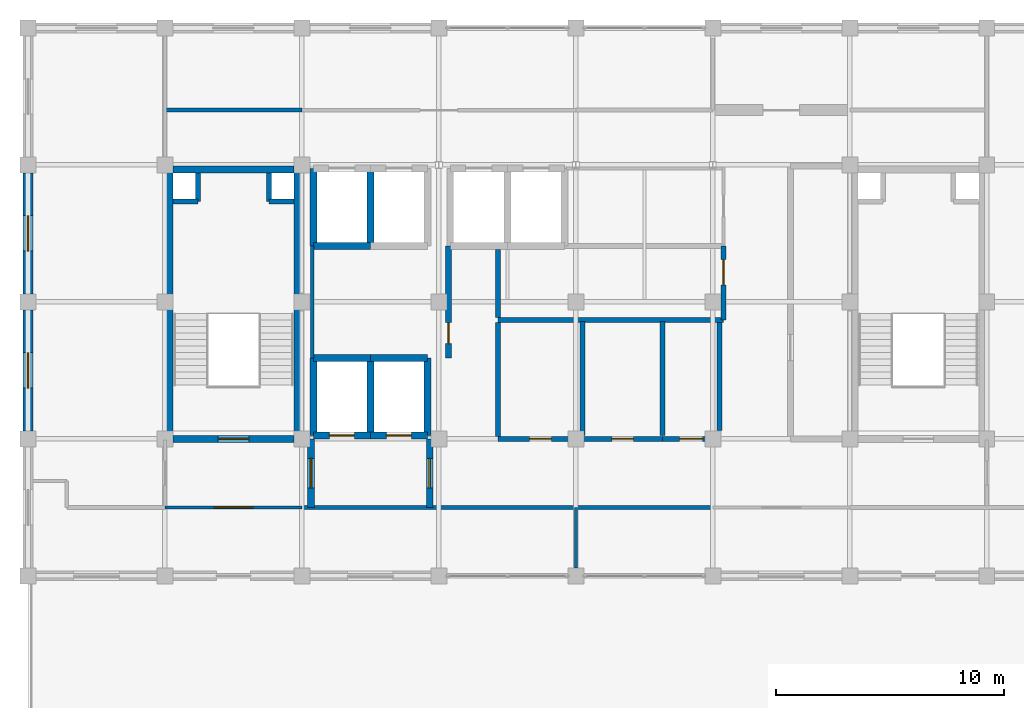
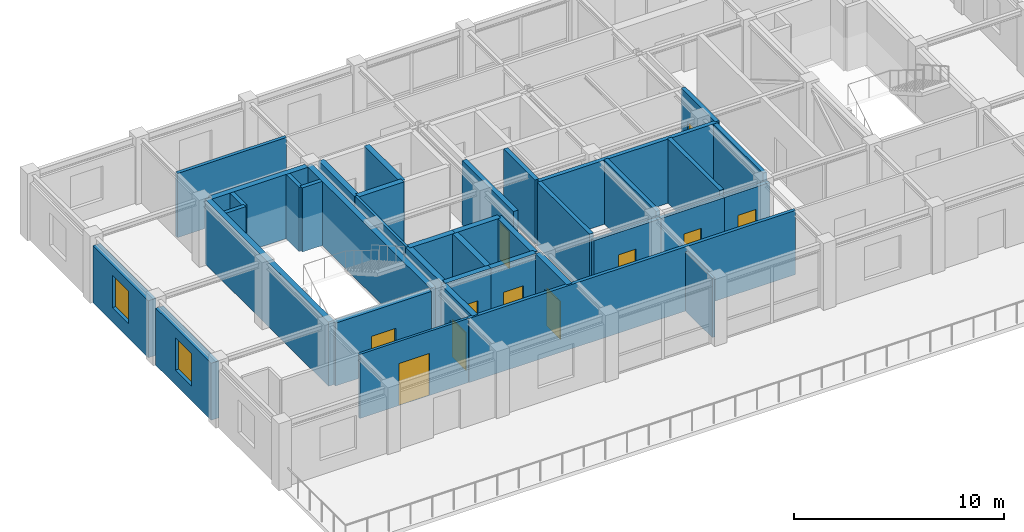
# One storey, part 8 of 11: 38 walls, 11 doors, 2 windows, 13 openings.
"""IFC4 building model written with IfcOpenShell, lengths in metres."""

from ifc_helpers import new_model, si_unit, direction, frame, frame_2d, origin, place, context, subcontext, project, spatial, rectangle, extrude, material, layer, layer_set, type_object, element, fill, save


model = new_model("IFC4")

# Units and contexts
model_context = context("Model", 3, precision=1e-05, world=origin(), true_north=direction((0.0, 1.0)))
body_context = subcontext(model_context, "Body", "Model", "MODEL_VIEW")
ifc_project = project(units=[si_unit("LENGTHUNIT", "METRE"), si_unit("AREAUNIT", "SQUARE_METRE"), si_unit("VOLUMEUNIT", "CUBIC_METRE"), si_unit("PLANEANGLEUNIT", "RADIAN"), si_unit("MASSUNIT", "GRAM", prefix="KILO")], contexts=[model_context])

# Site, building, storey
site_placement = place(None, origin())
site = spatial("IfcSite", under=ifc_project, at=site_placement, CompositionType="ELEMENT")
building_placement = place(site_placement, origin())
building = spatial("IfcBuilding", under=site, at=building_placement, Name="Zlatovratsky Civic Hall", CompositionType="ELEMENT")
storey_placement = place(building_placement, frame((0.0, 0.0, 52.199951171875)))
storey = spatial("IfcBuildingStorey", under=building, at=storey_placement, Name="L13", CompositionType="ELEMENT", Elevation=52.199951171875)

# Walls
ifc_material_1 = material(Name="Acoustic ceramic blockwork", Category="masonry")
ifc_layer_1 = layer(ifc_material_1, 0.179931640625)
ifc_layer_set_1 = layer_set([ifc_layer_1], Name="Acoustic ceramic blockwork")
wall_type_1 = type_object("IfcWallType", Name="Wall_AcousticChamberPartition_180", PredefinedType="PARTITIONING", material=ifc_layer_set_1)
wall_1_placement = place(storey_placement, frame((72.0, 81.0, 0.0), z_axis=(0.0, 0.0, 1.0), x_axis=(1.0, 0.0, 0.0)))
element("IfcWall", 1, at=wall_1_placement, inside=storey, type_object=wall_type_1, Name="WL-6635", PredefinedType="PARTITIONING", context=body_context, shape_type="SweptSolid", body=[
    extrude(rectangle(XDim=18.0, YDim=0.179931640625, at=frame_2d((9.0, 0.0))), origin(), (0.0, 0.0, 1.0), 3.739990234375),
])
wall_2_placement = place(storey_placement, frame((66.0, 98.39990234375, 0.0), z_axis=(0.0, 0.0, 1.0), x_axis=(1.0, 0.0, 0.0)))
element("IfcWall", 2, at=wall_2_placement, inside=storey, type_object=wall_type_1, Name="WL-6641", PredefinedType="PARTITIONING", context=body_context, shape_type="SweptSolid", body=[
    extrude(rectangle(XDim=6.0, YDim=0.179931640625, at=frame_2d((3.0, 0.0))), origin(), (0.0, 0.0, 1.0), 3.739990234375),
])

# Wall, opening, door
ifc_layer_2 = layer(ifc_material_1, 0.260009765625)
ifc_layer_set_2 = layer_set([ifc_layer_2], Name="Acoustic ceramic blockwork")
wall_type_2 = type_object("IfcWallType", Name="Wall_ArchiveCompartment_260", PredefinedType="PARTITIONING", material=ifc_layer_set_2)
wall_3_placement = place(storey_placement, frame((78.419921875, 87.550048828125, 0.0), z_axis=(0.0, 0.0, 1.0), x_axis=(0.0, 1.0, 0.0)))
wall_3 = element("IfcWall", 3, at=wall_3_placement, inside=storey, type_object=wall_type_2, Name="WL-6624", PredefinedType="PARTITIONING", context=body_context, shape_type="SweptSolid", body=[
    extrude(rectangle(XDim=4.89990234375, YDim=0.260009765625, at=frame_2d((2.449951171875, 0.0))), origin(), (0.0, 0.0, 1.0), 3.739990234375),
])
opening_1_placement = place(wall_3_placement, frame((0.617919921875, 0.0, 0.0)))
opening_1 = element("IfcOpeningElement", 4, at=opening_1_placement, cuts=wall_3, Name="Opening D-23", PredefinedType="OPENING", context=body_context, shape_type="SweptSolid", body=[
    extrude(rectangle(XDim=0.919921875, YDim=2.14990234375, at=frame_2d((0.4599609375, 1.074951171875))), frame((0.0, 0.14501953125, 0.0), z_axis=(0.0, -1.0, 0.0), x_axis=(1.0, 0.0, 0.0)), (0.0, 0.0, 1.0), 0.289794921875),
])
ifc_material_2 = material(Name="Solid oak joinery in steel frame", Category="steel")
door_type_1 = type_object("IfcDoorType", Name="Door_OfficeStandard_920x2150", OperationType="NOTDEFINED", PredefinedType="DOOR", material=ifc_material_2)
door_1_placement = place(opening_1_placement, origin())
door_1 = element("IfcDoor", 5, at=door_1_placement, inside=storey, type_object=door_type_1, Name="DR-5498", OperationType="SINGLE_SWING_LEFT", OverallHeight=2.14990234375, OverallWidth=0.919921875, PredefinedType="DOOR", context=body_context, shape_type="SweptSolid", body=[
    extrude(rectangle(XDim=0.919921875, YDim=2.14990234375, at=frame_2d((0.4599609375, 1.074951171875))), frame((0.0, 0.02490234375, 0.0), z_axis=(0.0, -1.0, 0.0), x_axis=(1.0, 0.0, 0.0)), (0.0, 0.0, 1.0), 0.050048828125),
])
fill(opening_1, door_1)

ifc_material_3 = material(Name="Fire-rated gypsum board framing", Category="gypsum")
ifc_layer_3 = layer(ifc_material_3, 0.139892578125)
ifc_layer_set_3 = layer_set([ifc_layer_3], Name="Fire-rated gypsum board framing")
wall_type_3 = type_object("IfcWallType", Name="Wall_OfficePartition_140", PredefinedType="PARTITIONING", material=ifc_layer_set_3)
wall_4_placement = place(storey_placement, frame((66.0, 81.0, 0.0), z_axis=(0.0, 0.0, 1.0), x_axis=(1.0, 0.0, 0.0)))
wall_4 = element("IfcWall", 6, at=wall_4_placement, inside=storey, type_object=wall_type_3, Name="WL-6618", PredefinedType="PARTITIONING", context=body_context, shape_type="SweptSolid", body=[
    extrude(rectangle(XDim=6.0, YDim=0.139892578125, at=frame_2d((3.0, 0.0))), origin(), (0.0, 0.0, 1.0), 3.739990234375),
])
opening_2_placement = place(wall_4_placement, frame((2.14990234375, 0.0, 0.0)))
opening_2 = element("IfcOpeningElement", 7, at=opening_2_placement, cuts=wall_4, Name="Opening D-26", PredefinedType="OPENING", context=body_context, shape_type="SweptSolid", body=[
    extrude(rectangle(XDim=1.699951171875, YDim=2.449951171875, at=frame_2d((0.85009765625, 1.22509765625))), frame((0.0, 0.0849609375, 0.0), z_axis=(0.0, -1.0, 0.0), x_axis=(1.0, 0.0, 0.0)), (0.0, 0.0, 1.0), 0.169677734375),
])
door_type_2 = type_object("IfcDoorType", Name="Door_CommissionBoardroom_1700x2450", OperationType="DOUBLE_DOOR_SINGLE_SWING", PredefinedType="DOOR", material=ifc_material_2)
door_2_placement = place(opening_2_placement, origin())
door_2 = element("IfcDoor", 8, at=door_2_placement, inside=storey, type_object=door_type_2, Name="DR-5492", OperationType="DOUBLE_DOOR_SINGLE_SWING", OverallHeight=2.449951171875, OverallWidth=1.699951171875, PredefinedType="DOOR", context=body_context, shape_type="SweptSolid", body=[
    extrude(rectangle(XDim=1.699951171875, YDim=2.449951171875, at=frame_2d((0.85009765625, 1.22509765625))), frame((0.0, 0.02490234375, 0.0), z_axis=(0.0, -1.0, 0.0), x_axis=(1.0, 0.0, 0.0)), (0.0, 0.0, 1.0), 0.050048828125),
])
fill(opening_2, door_2)

# Walls
wall_5_placement = place(storey_placement, frame((84.0, 78.35009765625, 0.0), z_axis=(0.0, 0.0, 1.0), x_axis=(0.0, 1.0, 0.0)))
element("IfcWall", 9, at=wall_5_placement, inside=storey, type_object=wall_type_3, Name="WL-6626", PredefinedType="PARTITIONING", context=body_context, shape_type="SweptSolid", body=[
    extrude(rectangle(XDim=2.64990234375, YDim=0.139892578125, at=frame_2d((1.324951171875, 0.0))), origin(), (0.0, 0.0, 1.0), 3.448974609375),
])
wall_6_placement = place(storey_placement, frame((72.449951171875, 87.550048828125, 0.0), z_axis=(0.0, 0.0, 1.0), x_axis=(0.0, 1.0, 0.0)))
element("IfcWall", 10, at=wall_6_placement, inside=storey, type_object=wall_type_3, Name="WL-6628", PredefinedType="PARTITIONING", context=body_context, shape_type="SweptSolid", body=[
    extrude(rectangle(XDim=4.89990234375, YDim=0.139892578125, at=frame_2d((2.449951171875, 0.0))), origin(), (0.0, 0.0, 1.0), 3.739990234375),
])
ifc_layer_4 = layer(ifc_material_1, 0.219970703125)
ifc_layer_set_4 = layer_set([ifc_layer_4], Name="Acoustic ceramic blockwork")
wall_type_4 = type_object("IfcWallType", Name="Wall_SanitaryWetCore_220", PredefinedType="PARTITIONING", material=ifc_layer_set_4)
wall_7_placement = place(storey_placement, frame((67.449951171875, 94.39990234375, 0.0), z_axis=(0.0, 0.0, 1.0), x_axis=(0.0, 1.0, 0.0)))
element("IfcWall", 11, at=wall_7_placement, inside=storey, type_object=wall_type_4, Name="WL-5109", PredefinedType="PARTITIONING", context=body_context, shape_type="SweptSolid", body=[
    extrude(rectangle(XDim=1.25, YDim=0.219970703125, at=frame_2d((0.625, 0.0))), origin(), (0.0, 0.0, 1.0), 3.739990234375),
])
wall_8_placement = place(storey_placement, frame((66.35009765625, 94.39990234375, 0.0), z_axis=(0.0, 0.0, 1.0), x_axis=(1.0, 0.0, 0.0)))
element("IfcWall", 12, at=wall_8_placement, inside=storey, type_object=wall_type_4, Name="WL-5110", PredefinedType="PARTITIONING", context=body_context, shape_type="SweptSolid", body=[
    extrude(rectangle(XDim=1.099853515625, YDim=0.219970703125, at=frame_2d((0.5498046875, 0.0))), origin(), (0.0, 0.0, 1.0), 3.739990234375),
])
wall_9_placement = place(storey_placement, frame((70.550048828125, 94.39990234375, 0.0), z_axis=(0.0, 0.0, 1.0), x_axis=(0.0, 1.0, 0.0)))
element("IfcWall", 13, at=wall_9_placement, inside=storey, type_object=wall_type_4, Name="WL-5111", PredefinedType="PARTITIONING", context=body_context, shape_type="SweptSolid", body=[
    extrude(rectangle(XDim=1.25, YDim=0.219970703125, at=frame_2d((0.625, 0.0))), origin(), (0.0, 0.0, 1.0), 3.739990234375),
])
wall_10_placement = place(storey_placement, frame((70.550048828125, 94.39990234375, 0.0), z_axis=(0.0, 0.0, 1.0), x_axis=(1.0, 0.0, 0.0)))
element("IfcWall", 14, at=wall_10_placement, inside=storey, type_object=wall_type_4, Name="WL-5112", PredefinedType="PARTITIONING", context=body_context, shape_type="SweptSolid", body=[
    extrude(rectangle(XDim=1.099853515625, YDim=0.219970703125, at=frame_2d((0.5498046875, 0.0))), origin(), (0.0, 0.0, 1.0), 3.739990234375),
])

# Wall, opening, door
wall_11_placement = place(storey_placement, frame((80.60009765625, 84.0, 0.0), z_axis=(0.0, 0.0, 1.0), x_axis=(1.0, 0.0, 0.0)))
wall_11 = element("IfcWall", 15, at=wall_11_placement, inside=storey, type_object=wall_type_4, Name="WL-6611", PredefinedType="PARTITIONING", context=body_context, shape_type="SweptSolid", body=[
    extrude(rectangle(XDim=3.699951171875, YDim=0.219970703125, at=frame_2d((1.85009765625, 0.0))), origin(), (0.0, 0.0, 1.0), 3.448974609375),
])
opening_3_placement = place(wall_11_placement, frame((1.375, 0.0, 0.0)))
opening_3 = element("IfcOpeningElement", 16, at=opening_3_placement, cuts=wall_11, Name="Opening D-21", PredefinedType="OPENING", context=body_context, shape_type="SweptSolid", body=[
    extrude(rectangle(XDim=0.949951171875, YDim=2.14990234375, at=frame_2d((0.47509765625, 1.074951171875))), frame((0.0, 0.125, 0.0), z_axis=(0.0, -1.0, 0.0), x_axis=(1.0, 0.0, 0.0)), (0.0, 0.0, 1.0), 0.249755859375),
])
door_type_3 = type_object("IfcDoorType", Name="Door_MensWC_950x2150", OperationType="NOTDEFINED", PredefinedType="DOOR", material=ifc_material_2)
door_3_placement = place(opening_3_placement, origin())
door_3 = element("IfcDoor", 17, at=door_3_placement, inside=storey, type_object=door_type_3, Name="DR-5488", OperationType="SINGLE_SWING_LEFT", OverallHeight=2.14990234375, OverallWidth=0.949951171875, PredefinedType="DOOR", context=body_context, shape_type="SweptSolid", body=[
    extrude(rectangle(XDim=0.949951171875, YDim=2.14990234375, at=frame_2d((0.47509765625, 1.074951171875))), frame((0.0, 0.02490234375, 0.0), z_axis=(0.0, -1.0, 0.0), x_axis=(1.0, 0.0, 0.0)), (0.0, 0.0, 1.0), 0.050048828125),
])
fill(opening_3, door_3)

wall_12_placement = place(storey_placement, frame((84.300048828125, 84.0, 0.0), z_axis=(0.0, 0.0, 1.0), x_axis=(1.0, 0.0, 0.0)))
wall_12 = element("IfcWall", 18, at=wall_12_placement, inside=storey, type_object=wall_type_4, Name="WL-6612", PredefinedType="PARTITIONING", context=body_context, shape_type="SweptSolid", body=[
    extrude(rectangle(XDim=3.5, YDim=0.219970703125, at=frame_2d((1.75, 0.0))), origin(), (0.0, 0.0, 1.0), 3.448974609375),
])
opening_4_placement = place(wall_12_placement, frame((1.27490234375, 0.0, 0.0)))
opening_4 = element("IfcOpeningElement", 19, at=opening_4_placement, cuts=wall_12, Name="Opening D-22", PredefinedType="OPENING", context=body_context, shape_type="SweptSolid", body=[
    extrude(rectangle(XDim=0.949951171875, YDim=2.10009765625, at=frame_2d((0.47509765625, 1.050048828125))), frame((0.0, 0.125, 0.0), z_axis=(0.0, -1.0, 0.0), x_axis=(1.0, 0.0, 0.0)), (0.0, 0.0, 1.0), 0.249755859375),
])
door_type_4 = type_object("IfcDoorType", Name="Door_WomensWC_950x2100", OperationType="NOTDEFINED", PredefinedType="DOOR", material=ifc_material_2)
door_4_placement = place(opening_4_placement, origin())
door_4 = element("IfcDoor", 20, at=door_4_placement, inside=storey, type_object=door_type_4, Name="DR-5489", OperationType="SINGLE_SWING_RIGHT", OverallHeight=2.10009765625, OverallWidth=0.949951171875, PredefinedType="DOOR", context=body_context, shape_type="SweptSolid", body=[
    extrude(rectangle(XDim=0.949951171875, YDim=2.10009765625, at=frame_2d((0.47509765625, 1.050048828125))), frame((0.0, 0.02490234375, 0.0), z_axis=(0.0, -1.0, 0.0), x_axis=(1.0, 0.0, 0.0)), (0.0, 0.0, 1.0), 0.050048828125),
])
fill(opening_4, door_4)

wall_13_placement = place(storey_placement, frame((87.800048828125, 84.0, 0.0), z_axis=(0.0, 0.0, 1.0), x_axis=(1.0, 0.0, 0.0)))
wall_13 = element("IfcWall", 21, at=wall_13_placement, inside=storey, type_object=wall_type_4, Name="WL-6613", PredefinedType="PARTITIONING", context=body_context, shape_type="SweptSolid", body=[
    extrude(rectangle(XDim=2.5, YDim=0.219970703125, at=frame_2d((1.25, 0.0))), origin(), (0.0, 0.0, 1.0), 3.448974609375),
])
opening_5_placement = place(wall_13_placement, frame((0.75, 0.0, 0.0)))
opening_5 = element("IfcOpeningElement", 22, at=opening_5_placement, cuts=wall_13, Name="Opening D-20", PredefinedType="OPENING", context=body_context, shape_type="SweptSolid", body=[
    extrude(rectangle(XDim=1.0, YDim=2.14990234375, at=frame_2d((0.5, 1.074951171875))), frame((0.0, 0.125, 0.0), z_axis=(0.0, -1.0, 0.0), x_axis=(1.0, 0.0, 0.0)), (0.0, 0.0, 1.0), 0.249755859375),
])
door_type_5 = type_object("IfcDoorType", Name="Door_AccessibleWC_1000x2150", OperationType="NOTDEFINED", PredefinedType="DOOR", material=ifc_material_2)
door_5_placement = place(opening_5_placement, origin())
door_5 = element("IfcDoor", 23, at=door_5_placement, inside=storey, type_object=door_type_5, Name="DR-5490", OperationType="SINGLE_SWING_LEFT", OverallHeight=2.14990234375, OverallWidth=1.0, PredefinedType="DOOR", context=body_context, shape_type="SweptSolid", body=[
    extrude(rectangle(XDim=1.0, YDim=2.14990234375, at=frame_2d((0.5, 1.074951171875))), frame((0.0, 0.02490234375, 0.0), z_axis=(0.0, -1.0, 0.0), x_axis=(1.0, 0.0, 0.0)), (0.0, 0.0, 1.0), 0.050048828125),
])
fill(opening_5, door_5)

# Walls
for number, where, z_axis, x_axis, name in (
    (24, (84.300048828125, 84.14990234375, 0.0), (0.0, 0.0, 1.0), (0.0, 1.0, 0.0), "WL-6614"),
    (25, (87.800048828125, 84.14990234375, 0.0), (0.0, 0.0, 1.0), (0.0, 1.0, 0.0), "WL-6615"),
):
    element("IfcWall", number, at=place(storey_placement, frame(where, z_axis=z_axis, x_axis=x_axis)), inside=storey, type_object=wall_type_4, Name=name, PredefinedType="PARTITIONING", context=body_context, shape_type="SweptSolid", body=[
        extrude(rectangle(XDim=5.0, YDim=0.219970703125, at=frame_2d((2.5, 0.0))), origin(), (0.0, 0.0, 1.0), 3.739990234375),
    ])
wall_14_placement = place(storey_placement, frame((80.60009765625, 89.199951171875, 0.0), z_axis=(0.0, 0.0, 1.0), x_axis=(1.0, 0.0, 0.0)))
element("IfcWall", 26, at=wall_14_placement, inside=storey, type_object=wall_type_4, Name="WL-6616", PredefinedType="PARTITIONING", context=body_context, shape_type="SweptSolid", body=[
    extrude(rectangle(XDim=9.869873046875, YDim=0.219970703125, at=frame_2d((4.93505859375, 0.0))), origin(), (0.0, 0.0, 1.0), 3.739990234375),
])

# Wall, opening, door
wall_15_placement = place(storey_placement, frame((90.469970703125, 89.199951171875, 0.0), z_axis=(0.0, 0.0, 1.0), x_axis=(0.0, 1.0, 0.0)))
wall_15 = element("IfcWall", 27, at=wall_15_placement, inside=storey, type_object=wall_type_4, Name="WL-6617", PredefinedType="PARTITIONING", context=body_context, shape_type="SweptSolid", body=[
    extrude(rectangle(XDim=3.25, YDim=0.219970703125, at=frame_2d((1.625, 0.0))), origin(), (0.0, 0.0, 1.0), 3.739990234375),
])
opening_6_placement = place(wall_15_placement, frame((1.550048828125, 0.0, 0.0)))
opening_6 = element("IfcOpeningElement", 28, at=opening_6_placement, cuts=wall_15, Name="Opening D-30", PredefinedType="OPENING", context=body_context, shape_type="SweptSolid", body=[
    extrude(rectangle(XDim=1.10009765625, YDim=2.14990234375, at=frame_2d((0.550048828125, 1.074951171875))), frame((0.0, 0.125, 0.0), z_axis=(0.0, -1.0, 0.0), x_axis=(1.0, 0.0, 0.0)), (0.0, 0.0, 1.0), 0.249755859375),
])
ifc_material_4 = material(Name="Insulated painted fire-rated steel leaf", Category="steel")
door_type_6 = type_object("IfcDoorType", Name="Door_ElectricalRoom_1100x2150", OperationType="NOTDEFINED", PredefinedType="DOOR", material=ifc_material_4)
door_6_placement = place(opening_6_placement, origin())
door_6 = element("IfcDoor", 29, at=door_6_placement, inside=storey, type_object=door_type_6, Name="DR-5491", OperationType="SINGLE_SWING_RIGHT", OverallHeight=2.14990234375, OverallWidth=1.10009765625, PredefinedType="DOOR", context=body_context, shape_type="SweptSolid", body=[
    extrude(rectangle(XDim=1.10009765625, YDim=2.14990234375, at=frame_2d((0.550048828125, 1.074951171875))), frame((0.0, 0.02490234375, 0.0), z_axis=(0.0, -1.0, 0.0), x_axis=(1.0, 0.0, 0.0)), (0.0, 0.0, 1.0), 0.050048828125),
])
fill(opening_6, door_6)

# Walls
wall_16_placement = place(storey_placement, frame((80.60009765625, 84.110107421875, 0.0), z_axis=(0.0, 0.0, 1.0), x_axis=(0.0, 1.0, 0.0)))
element("IfcWall", 30, at=wall_16_placement, inside=storey, type_object=wall_type_4, Name="WL-6630", PredefinedType="PARTITIONING", context=body_context, shape_type="SweptSolid", body=[
    extrude(rectangle(XDim=4.97998046875, YDim=0.219970703125, at=frame_2d((2.489990234375, 0.0))), origin(), (0.0, 0.0, 1.0), 3.739990234375),
])
wall_17_placement = place(storey_placement, frame((90.300048828125, 84.360107421875, 0.0), z_axis=(0.0, 0.0, 1.0), x_axis=(0.0, 1.0, 0.0)))
element("IfcWall", 31, at=wall_17_placement, inside=storey, type_object=wall_type_4, Name="WL-6631", PredefinedType="PARTITIONING", context=body_context, shape_type="SweptSolid", body=[
    extrude(rectangle(XDim=4.72998046875, YDim=0.219970703125, at=frame_2d((2.364990234375, 0.0))), origin(), (0.0, 0.0, 1.0), 3.739990234375),
])
wall_18_placement = place(storey_placement, frame((80.60009765625, 89.31005859375, 0.0), z_axis=(0.0, 0.0, 1.0), x_axis=(0.0, 1.0, 0.0)))
element("IfcWall", 32, at=wall_18_placement, inside=storey, type_object=wall_type_4, Name="WL-6632", PredefinedType="PARTITIONING", context=body_context, shape_type="SweptSolid", body=[
    extrude(rectangle(XDim=2.989990234375, YDim=0.219970703125, at=frame_2d((1.4951171875, 0.0))), origin(), (0.0, 0.0, 1.0), 3.739990234375),
])

# Wall, opening, door
ifc_material_5 = material(Name="Concrete C35/45 (B40)", Category="concrete")
ifc_layer_5 = layer(ifc_material_5, 0.300048828125)
ifc_layer_set_5 = layer_set([ifc_layer_5], Name="Concrete C35/45 (B40)")
wall_type_5 = type_object("IfcWallType", Name="Wall_StairAndLiftShaft_300", PredefinedType="SHEAR", material=ifc_layer_set_5)
wall_19_placement = place(storey_placement, frame((66.35009765625, 84.0, 0.0), z_axis=(0.0, 0.0, 1.0), x_axis=(1.0, 0.0, 0.0)))
wall_19 = element("IfcWall", 33, at=wall_19_placement, inside=storey, type_object=wall_type_5, Name="WL-5105", PredefinedType="SHEAR", context=body_context, shape_type="SweptSolid", body=[
    extrude(rectangle(XDim=5.2998046875, YDim=0.300048828125, at=frame_2d((2.64990234375, 0.0))), origin(), (0.0, 0.0, 1.0), 3.66015625),
])
opening_7_placement = place(wall_19_placement, frame((1.97509765625, 0.0, 0.0)))
opening_7 = element("IfcOpeningElement", 34, at=opening_7_placement, cuts=wall_19, Name="Opening D-17", PredefinedType="OPENING", context=body_context, shape_type="SweptSolid", body=[
    extrude(rectangle(XDim=1.35009765625, YDim=2.199951171875, at=frame_2d((0.675048828125, 1.10009765625))), frame((0.0, 0.1650390625, 0.0), z_axis=(0.0, -1.0, 0.0), x_axis=(1.0, 0.0, 0.0)), (0.0, 0.0, 1.0), 0.329833984375),
])
door_type_7 = type_object("IfcDoorType", Name="Door_StairwellFireTower_1350x2200", OperationType="NOTDEFINED", PredefinedType="DOOR", material=ifc_material_4)
door_7_placement = place(opening_7_placement, origin())
door_7 = element("IfcDoor", 35, at=door_7_placement, inside=storey, type_object=door_type_7, Name="DR-5014", OperationType="SINGLE_SWING_LEFT", OverallHeight=2.199951171875, OverallWidth=1.35009765625, PredefinedType="DOOR", context=body_context, shape_type="SweptSolid", body=[
    extrude(rectangle(XDim=1.35009765625, YDim=2.199951171875, at=frame_2d((0.675048828125, 1.10009765625))), frame((0.0, 0.02490234375, 0.0), z_axis=(0.0, -1.0, 0.0), x_axis=(1.0, 0.0, 0.0)), (0.0, 0.0, 1.0), 0.050048828125),
])
fill(opening_7, door_7)

# Walls
wall_20_placement = place(storey_placement, frame((66.35009765625, 95.800048828125, 0.0), z_axis=(0.0, 0.0, 1.0), x_axis=(1.0, 0.0, 0.0)))
element("IfcWall", 36, at=wall_20_placement, inside=storey, type_object=wall_type_5, Name="WL-5106", PredefinedType="SHEAR", context=body_context, shape_type="SweptSolid", body=[
    extrude(rectangle(XDim=5.2998046875, YDim=0.300048828125, at=frame_2d((2.64990234375, 0.0))), origin(), (0.0, 0.0, 1.0), 3.739990234375),
])
for number, where, z_axis, x_axis, name in (
    (37, (66.199951171875, 84.0, 0.0), (0.0, 0.0, 1.0), (0.0, 1.0, 0.0), "WL-5107"),
    (38, (71.800048828125, 84.0, 0.0), (0.0, 0.0, 1.0), (0.0, 1.0, 0.0), "WL-5108"),
):
    element("IfcWall", number, at=place(storey_placement, frame(where, z_axis=z_axis, x_axis=x_axis)), inside=storey, type_object=wall_type_5, Name=name, PredefinedType="SHEAR", context=body_context, shape_type="SweptSolid", body=[
        extrude(rectangle(XDim=11.800048828125, YDim=0.300048828125, at=frame_2d((5.89990234375, 0.0))), origin(), (0.0, 0.0, 1.0), 3.739990234375),
    ])

# Wall, opening, door
wall_21_placement = place(storey_placement, frame((72.5, 84.14990234375, 0.0), z_axis=(0.0, 0.0, 1.0), x_axis=(1.0, 0.0, 0.0)))
wall_21 = element("IfcWall", 39, at=wall_21_placement, inside=storey, type_object=wall_type_5, Name="WL-5532", PredefinedType="SHEAR", context=body_context, shape_type="SweptSolid", body=[
    extrude(rectangle(XDim=2.5, YDim=0.300048828125, at=frame_2d((1.25, 0.0))), origin(), (0.0, 0.0, 1.0), 3.739990234375),
])
opening_8_placement = place(wall_21_placement, frame((0.699951171875, 0.0, 0.0)))
opening_8 = element("IfcOpeningElement", 40, at=opening_8_placement, cuts=wall_21, Name="Opening LD-01", PredefinedType="OPENING", context=body_context, shape_type="SweptSolid", body=[
    extrude(rectangle(XDim=1.10009765625, YDim=2.10009765625, at=frame_2d((0.550048828125, 1.050048828125))), frame((0.0, 0.1650390625, 0.0), z_axis=(0.0, -1.0, 0.0), x_axis=(1.0, 0.0, 0.0)), (0.0, 0.0, 1.0), 0.329833984375),
])
ifc_material_6 = material(Name="Brushed stainless steel AISI 304", Category="steel")
door_type_8 = type_object("IfcDoorType", Name="Door_LiftLandingFire_1100x2100", OperationType="DOUBLE_DOOR_SLIDING", PredefinedType="DOOR", material=ifc_material_6)
door_8_placement = place(opening_8_placement, origin())
door_8 = element("IfcDoor", 41, at=door_8_placement, inside=storey, type_object=door_type_8, Name="Lift landing door LD-5072", OperationType="DOUBLE_DOOR_SLIDING", OverallHeight=2.10009765625, OverallWidth=1.10009765625, PredefinedType="DOOR", context=body_context, shape_type="SweptSolid", body=[
    extrude(rectangle(XDim=1.10009765625, YDim=2.10009765625, at=frame_2d((0.550048828125, 1.050048828125))), frame((0.0, 0.02490234375, 0.0), z_axis=(0.0, -1.0, 0.0), x_axis=(1.0, 0.0, 0.0)), (0.0, 0.0, 1.0), 0.050048828125),
])
fill(opening_8, door_8)

# Walls
wall_22_placement = place(storey_placement, frame((72.5, 87.550048828125, 0.0), z_axis=(0.0, 0.0, 1.0), x_axis=(1.0, 0.0, 0.0)))
element("IfcWall", 42, at=wall_22_placement, inside=storey, type_object=wall_type_5, Name="WL-5533", PredefinedType="SHEAR", context=body_context, shape_type="SweptSolid", body=[
    extrude(rectangle(XDim=2.5, YDim=0.300048828125, at=frame_2d((1.25, 0.0))), origin(), (0.0, 0.0, 1.0), 3.739990234375),
])
wall_23_placement = place(storey_placement, frame((72.5, 84.14990234375, 0.0), z_axis=(0.0, 0.0, 1.0), x_axis=(0.0, 1.0, 0.0)))
element("IfcWall", 43, at=wall_23_placement, inside=storey, type_object=wall_type_5, Name="WL-5534", PredefinedType="SHEAR", context=body_context, shape_type="SweptSolid", body=[
    extrude(rectangle(XDim=3.400146484375, YDim=0.300048828125, at=frame_2d((1.7001953125, 0.0))), origin(), (0.0, 0.0, 1.0), 3.739990234375),
])

# Wall, opening, door
wall_24_placement = place(storey_placement, frame((75.0, 84.14990234375, 0.0), z_axis=(0.0, 0.0, 1.0), x_axis=(1.0, 0.0, 0.0)))
wall_24 = element("IfcWall", 44, at=wall_24_placement, inside=storey, type_object=wall_type_5, Name="WL-5602", PredefinedType="SHEAR", context=body_context, shape_type="SweptSolid", body=[
    extrude(rectangle(XDim=2.5, YDim=0.300048828125, at=frame_2d((1.25, 0.0))), origin(), (0.0, 0.0, 1.0), 3.739990234375),
])
opening_9_placement = place(wall_24_placement, frame((0.699951171875, 0.0, 0.0)))
opening_9 = element("IfcOpeningElement", 45, at=opening_9_placement, cuts=wall_24, Name="Opening LD-01", PredefinedType="OPENING", context=body_context, shape_type="SweptSolid", body=[
    extrude(rectangle(XDim=1.10009765625, YDim=2.10009765625, at=frame_2d((0.550048828125, 1.050048828125))), frame((0.0, 0.1650390625, 0.0), z_axis=(0.0, -1.0, 0.0), x_axis=(1.0, 0.0, 0.0)), (0.0, 0.0, 1.0), 0.329833984375),
])
door_9_placement = place(opening_9_placement, origin())
door_9 = element("IfcDoor", 46, at=door_9_placement, inside=storey, type_object=door_type_8, Name="Lift landing door LD-5091", OperationType="DOUBLE_DOOR_SLIDING", OverallHeight=2.10009765625, OverallWidth=1.10009765625, PredefinedType="DOOR", context=body_context, shape_type="SweptSolid", body=[
    extrude(rectangle(XDim=1.10009765625, YDim=2.10009765625, at=frame_2d((0.550048828125, 1.050048828125))), frame((0.0, 0.02490234375, 0.0), z_axis=(0.0, -1.0, 0.0), x_axis=(1.0, 0.0, 0.0)), (0.0, 0.0, 1.0), 0.050048828125),
])
fill(opening_9, door_9)

# Walls
wall_25_placement = place(storey_placement, frame((75.0, 87.550048828125, 0.0), z_axis=(0.0, 0.0, 1.0), x_axis=(1.0, 0.0, 0.0)))
element("IfcWall", 47, at=wall_25_placement, inside=storey, type_object=wall_type_5, Name="WL-5603", PredefinedType="SHEAR", context=body_context, shape_type="SweptSolid", body=[
    extrude(rectangle(XDim=2.5, YDim=0.300048828125, at=frame_2d((1.25, 0.0))), origin(), (0.0, 0.0, 1.0), 3.739990234375),
])
for number, where, z_axis, x_axis, name in (
    (48, (75.0, 84.14990234375, 0.0), (0.0, 0.0, 1.0), (0.0, 1.0, 0.0), "WL-5604"),
    (49, (77.5, 84.14990234375, 0.0), (0.0, 0.0, 1.0), (0.0, 1.0, 0.0), "WL-5605"),
):
    element("IfcWall", number, at=place(storey_placement, frame(where, z_axis=z_axis, x_axis=x_axis)), inside=storey, type_object=wall_type_5, Name=name, PredefinedType="SHEAR", context=body_context, shape_type="SweptSolid", body=[
        extrude(rectangle(XDim=3.400146484375, YDim=0.300048828125, at=frame_2d((1.7001953125, 0.0))), origin(), (0.0, 0.0, 1.0), 3.739990234375),
    ])
wall_26_placement = place(storey_placement, frame((72.5, 92.449951171875, 0.0), z_axis=(0.0, 0.0, 1.0), x_axis=(1.0, 0.0, 0.0)))
element("IfcWall", 50, at=wall_26_placement, inside=storey, type_object=wall_type_5, Name="WL-5666", PredefinedType="SHEAR", context=body_context, shape_type="SweptSolid", body=[
    extrude(rectangle(XDim=2.5, YDim=0.300048828125, at=frame_2d((1.25, 0.0))), origin(), (0.0, 0.0, 1.0), 3.739990234375),
])
for number, where, z_axis, x_axis, name in (
    (51, (72.5, 92.449951171875, 0.0), (0.0, 0.0, 1.0), (0.0, 1.0, 0.0), "WL-5667"),
    (52, (75.0, 92.449951171875, 0.0), (0.0, 0.0, 1.0), (0.0, 1.0, 0.0), "WL-5737"),
):
    element("IfcWall", number, at=place(storey_placement, frame(where, z_axis=z_axis, x_axis=x_axis)), inside=storey, type_object=wall_type_5, Name=name, PredefinedType="SHEAR", context=body_context, shape_type="SweptSolid", body=[
        extrude(rectangle(XDim=3.400146484375, YDim=0.300048828125, at=frame_2d((1.7001953125, 0.0))), origin(), (0.0, 0.0, 1.0), 3.739990234375),
    ])

# Wall, opening, door
wall_27_placement = place(storey_placement, frame((72.39990234375, 81.0, 0.0), z_axis=(0.0, 0.0, 1.0), x_axis=(0.0, 1.0, 0.0)))
wall_27 = element("IfcWall", 53, at=wall_27_placement, inside=storey, type_object=wall_type_5, Name="WL-6609", PredefinedType="SHEAR", context=body_context, shape_type="SweptSolid", body=[
    extrude(rectangle(XDim=3.0, YDim=0.300048828125, at=frame_2d((1.5, 0.0))), origin(), (0.0, 0.0, 1.0), 3.739990234375),
])
opening_10_placement = place(wall_27_placement, frame((0.85009765625, 0.0, 0.0)))
opening_10 = element("IfcOpeningElement", 54, at=opening_10_placement, cuts=wall_27, Name="Opening D-18", PredefinedType="OPENING", context=body_context, shape_type="SweptSolid", body=[
    extrude(rectangle(XDim=1.300048828125, YDim=2.199951171875, at=frame_2d((0.64990234375, 1.10009765625))), frame((0.0, 0.1650390625, 0.0), z_axis=(0.0, -1.0, 0.0), x_axis=(1.0, 0.0, 0.0)), (0.0, 0.0, 1.0), 0.329833984375),
])
door_type_9 = type_object("IfcDoorType", Name="Door_FireLobbyAirlock_1300x2200", OperationType="NOTDEFINED", PredefinedType="DOOR", material=ifc_material_4)
door_10_placement = place(opening_10_placement, origin())
door_10 = element("IfcDoor", 55, at=door_10_placement, inside=storey, type_object=door_type_9, Name="DR-5486", OperationType="SINGLE_SWING_RIGHT", OverallHeight=2.199951171875, OverallWidth=1.300048828125, PredefinedType="DOOR", context=body_context, shape_type="SweptSolid", body=[
    extrude(rectangle(XDim=1.300048828125, YDim=2.199951171875, at=frame_2d((0.64990234375, 1.10009765625))), frame((0.0, 0.02490234375, 0.0), z_axis=(0.0, -1.0, 0.0), x_axis=(1.0, 0.0, 0.0)), (0.0, 0.0, 1.0), 0.050048828125),
])
fill(opening_10, door_10)

wall_28_placement = place(storey_placement, frame((77.60009765625, 81.0, 0.0), z_axis=(0.0, 0.0, 1.0), x_axis=(0.0, 1.0, 0.0)))
wall_28 = element("IfcWall", 56, at=wall_28_placement, inside=storey, type_object=wall_type_5, Name="WL-6610", PredefinedType="SHEAR", context=body_context, shape_type="SweptSolid", body=[
    extrude(rectangle(XDim=3.0, YDim=0.300048828125, at=frame_2d((1.5, 0.0))), origin(), (0.0, 0.0, 1.0), 3.739990234375),
])
opening_11_placement = place(wall_28_placement, frame((0.85009765625, 0.0, 0.0)))
opening_11 = element("IfcOpeningElement", 57, at=opening_11_placement, cuts=wall_28, Name="Opening D-18", PredefinedType="OPENING", context=body_context, shape_type="SweptSolid", body=[
    extrude(rectangle(XDim=1.300048828125, YDim=2.199951171875, at=frame_2d((0.64990234375, 1.10009765625))), frame((0.0, 0.1650390625, 0.0), z_axis=(0.0, -1.0, 0.0), x_axis=(1.0, 0.0, 0.0)), (0.0, 0.0, 1.0), 0.329833984375),
])
door_11_placement = place(opening_11_placement, origin())
door_11 = element("IfcDoor", 58, at=door_11_placement, inside=storey, type_object=door_type_9, Name="DR-5487", OperationType="SINGLE_SWING_RIGHT", OverallHeight=2.199951171875, OverallWidth=1.300048828125, PredefinedType="DOOR", context=body_context, shape_type="SweptSolid", body=[
    extrude(rectangle(XDim=1.300048828125, YDim=2.199951171875, at=frame_2d((0.64990234375, 1.10009765625))), frame((0.0, 0.02490234375, 0.0), z_axis=(0.0, -1.0, 0.0), x_axis=(1.0, 0.0, 0.0)), (0.0, 0.0, 1.0), 0.050048828125),
])
fill(opening_11, door_11)

# Wall, opening, window
ifc_layer_6 = layer(ifc_material_1, 0.280029296875, Name="Backing")
ifc_material_7 = material(Name="Podolsk limestone ashlar", Category="masonry")
ifc_layer_7 = layer(ifc_material_7, 0.139892578125, Name="Finish")
ifc_layer_set_6 = layer_set([ifc_layer_6, ifc_layer_7], Name="Acoustic ceramic blockwork")
wall_type_6 = type_object("IfcWallType", Name="Wall_TowerLimestoneAshlar_420", PredefinedType="SOLIDWALL", material=ifc_layer_set_6)
wall_29_placement = place(storey_placement, frame((60.0, 84.35009765625, 0.0), z_axis=(0.0, 0.0, 1.0), x_axis=(0.0, 1.0, 0.0)))
wall_29 = element("IfcWall", 59, at=wall_29_placement, inside=storey, type_object=wall_type_6, Name="WL-0602", PredefinedType="SOLIDWALL", context=body_context, shape_type="SweptSolid", body=[
    extrude(rectangle(XDim=5.2998046875, YDim=0.419921875, at=frame_2d((2.64990234375, 0.0))), origin(), (0.0, 0.0, 1.0), 3.320068359375),
])
opening_12_placement = place(wall_29_placement, frame((1.875, 0.0, 0.85009765625)))
opening_12 = element("IfcOpeningElement", 60, at=opening_12_placement, cuts=wall_29, Name="Opening WN-22", PredefinedType="OPENING", context=body_context, shape_type="SweptSolid", body=[
    extrude(rectangle(XDim=1.550048828125, YDim=1.89990234375, at=frame_2d((0.77490234375, 0.949951171875))), frame((0.0, 0.224853515625, 0.0), z_axis=(0.0, -1.0, 0.0), x_axis=(1.0, 0.0, 0.0)), (0.0, 0.0, 1.0), 0.44970703125),
])
ifc_material_8 = material(Name="Low-E laminated double glazing", Category="glass")
window_type = type_object("IfcWindowType", Name="Window_TowerTier3Flank_1550x1900", PartitioningType="SINGLE_PANEL", PredefinedType="WINDOW", material=ifc_material_8)
window_1_placement = place(opening_12_placement, origin())
window_1 = element("IfcWindow", 61, at=window_1_placement, inside=storey, type_object=window_type, Name="WN-0474", OverallHeight=1.89990234375, OverallWidth=1.550048828125, PartitioningType="SINGLE_PANEL", PredefinedType="WINDOW", context=body_context, shape_type="SweptSolid", body=[
    extrude(rectangle(XDim=1.550048828125, YDim=1.89990234375, at=frame_2d((0.77490234375, 0.949951171875))), frame((0.0, 0.030029296875, 0.0), z_axis=(0.0, -1.0, 0.0), x_axis=(1.0, 0.0, 0.0)), (0.0, 0.0, 1.0), 0.06005859375),
])
fill(opening_12, window_1)

wall_30_placement = place(storey_placement, frame((60.0, 90.35009765625, 0.0), z_axis=(0.0, 0.0, 1.0), x_axis=(0.0, 1.0, 0.0)))
wall_30 = element("IfcWall", 62, at=wall_30_placement, inside=storey, type_object=wall_type_6, Name="WL-0603", PredefinedType="SOLIDWALL", context=body_context, shape_type="SweptSolid", body=[
    extrude(rectangle(XDim=5.2998046875, YDim=0.419921875, at=frame_2d((2.64990234375, 0.0))), origin(), (0.0, 0.0, 1.0), 3.320068359375),
])
opening_13_placement = place(wall_30_placement, frame((1.875, 0.0, 0.85009765625)))
opening_13 = element("IfcOpeningElement", 63, at=opening_13_placement, cuts=wall_30, Name="Opening WN-22", PredefinedType="OPENING", context=body_context, shape_type="SweptSolid", body=[
    extrude(rectangle(XDim=1.550048828125, YDim=1.89990234375, at=frame_2d((0.77490234375, 0.949951171875))), frame((0.0, 0.224853515625, 0.0), z_axis=(0.0, -1.0, 0.0), x_axis=(1.0, 0.0, 0.0)), (0.0, 0.0, 1.0), 0.44970703125),
])
window_2_placement = place(opening_13_placement, origin())
window_2 = element("IfcWindow", 64, at=window_2_placement, inside=storey, type_object=window_type, Name="WN-0475", OverallHeight=1.89990234375, OverallWidth=1.550048828125, PartitioningType="SINGLE_PANEL", PredefinedType="WINDOW", context=body_context, shape_type="SweptSolid", body=[
    extrude(rectangle(XDim=1.550048828125, YDim=1.89990234375, at=frame_2d((0.77490234375, 0.949951171875))), frame((0.0, 0.030029296875, 0.0), z_axis=(0.0, -1.0, 0.0), x_axis=(1.0, 0.0, 0.0)), (0.0, 0.0, 1.0), 0.06005859375),
])
fill(opening_13, window_2)

save(model, "model.ifc")
